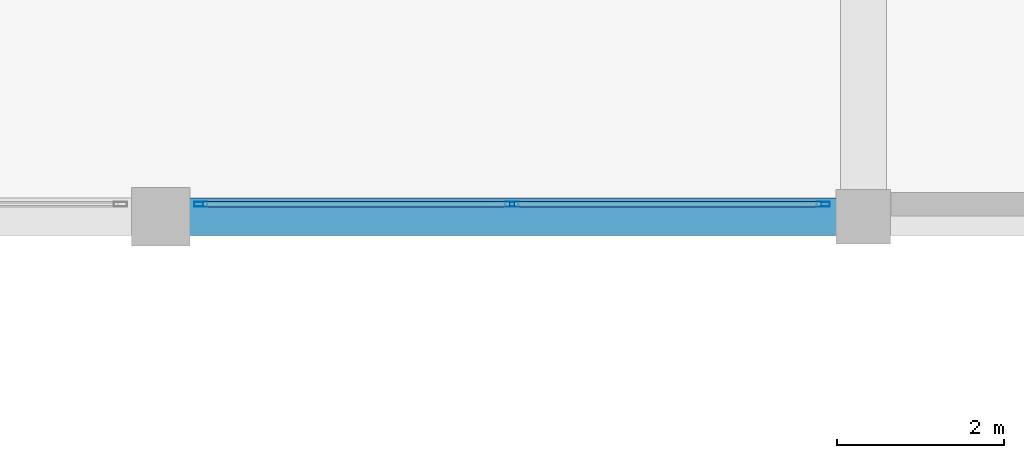
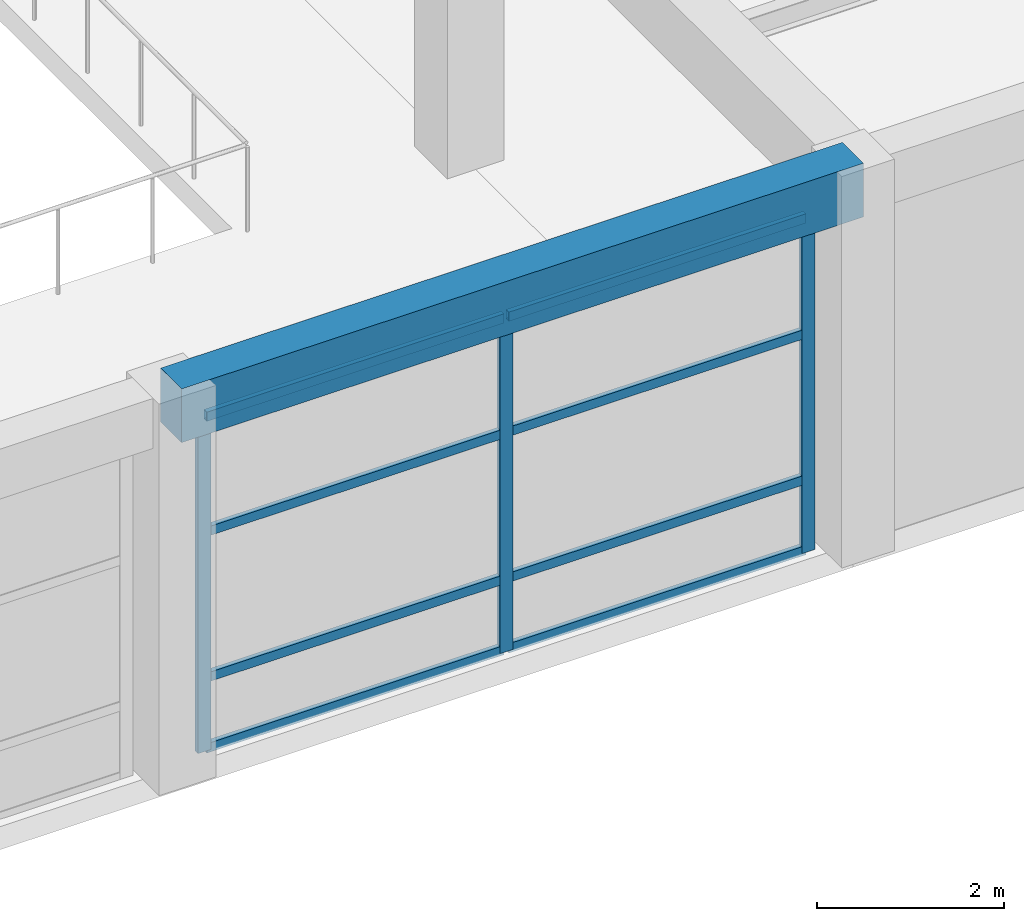
# One storey, part 26 of 96: 11 members, 1 beam, 1 element without a shape of its own.
"""IFC4 building model written with IfcOpenShell, lengths in metres."""

import ifcopenshell
import ifcopenshell.guid

model = None  # the IFC model being written
_history = None  # IfcOwnerHistory: only IFC2X3 demands one
_inside = {}  # id of a spatial element -> (the spatial element, [elements in it])
_under = {}  # id of a project, library or spatial element -> (it, [spatial elements below it])
_declared = {}  # id of a project -> (the project, [libraries it declares])
_typed = {}  # id of a type object -> (the type object, [elements of that type])
_made_of = {}  # id of a material, layer set ... -> (it, [elements and type objects made of it])


def new_model(schema):
    """Start an empty IFC model of exactly this schema.

    Asked for "IFC4X3", IfcOpenShell would pick the latest addendum, in which some entities
    have other attributes; the version numbers below select the first issue.
    IFC2X3 requires an IfcOwnerHistory on every rooted entity: one is made here for all.
    """
    global model, _history
    if schema == "IFC4X3":
        model = ifcopenshell.file(schema_version=(4, 3, 0, 0))
    else:
        model = ifcopenshell.file(schema=schema)
    _inside.clear()
    _under.clear()
    _declared.clear()
    _typed.clear()
    _made_of.clear()
    _history = None
    if model.schema == "IFC2X3":
        org = make("IfcOrganization", Name="unknown")
        user = make(
            "IfcPersonAndOrganization",
            ThePerson=make("IfcPerson", FamilyName="unknown"),
            TheOrganization=org,
        )
        app = make(
            "IfcApplication",
            ApplicationDeveloper=org,
            Version="unknown",
            ApplicationFullName="unknown",
            ApplicationIdentifier="unknown",
        )
        _history = make(
            "IfcOwnerHistory",
            OwningUser=user,
            OwningApplication=app,
            ChangeAction="ADDED",
            CreationDate=0,
        )
    return model


def make(cls, **values):
    """One entity of the class cls with the attributes given. An attribute that is None is left unset."""
    return model.create_entity(
        cls, **{name: value for name, value in values.items() if value is not None}
    )


def rooted(cls, **values):
    """An entity with a GlobalId (a new one), such as an element, a storey or a relation."""
    return make(cls, GlobalId=ifcopenshell.guid.new(), OwnerHistory=_history, **values)


def si_unit(unit_type, name, prefix=None):
    """IfcSIUnit, for example si_unit("LENGTHUNIT", "METRE", prefix="MILLI")."""
    return make("IfcSIUnit", UnitType=unit_type, Prefix=prefix, Name=name)


def assignment(units):
    """IfcUnitAssignment: the units of a project."""
    return None if units is None else make("IfcUnitAssignment", Units=units)


def point(xyz):
    """IfcCartesianPoint."""
    return None if xyz is None else make("IfcCartesianPoint", Coordinates=xyz)


def direction(xyz):
    """IfcDirection."""
    return None if xyz is None else make("IfcDirection", DirectionRatios=xyz)


def frame(location, z_axis=None, x_axis=None):
    """IfcAxis2Placement3D, a coordinate frame: its origin and axes. An axis left out is left unset."""
    return make(
        "IfcAxis2Placement3D",
        Location=point(location),
        Axis=direction(z_axis),
        RefDirection=direction(x_axis),
    )


def frame_2d(location, x_axis=None):
    """IfcAxis2Placement2D, a coordinate frame in the plane: its origin and x axis."""
    return make(
        "IfcAxis2Placement2D", Location=point(location), RefDirection=direction(x_axis)
    )


def origin():
    """The frame at (0, 0, 0) with its axes left unset."""
    return frame((0.0, 0.0, 0.0))


def origin_2d():
    """The frame at (0, 0) in the plane with its x axis left unset."""
    return frame_2d((0.0, 0.0))


def place(relative_to, where):
    """IfcLocalPlacement: puts the frame where relative to a parent placement (None: the world)."""
    return make(
        "IfcLocalPlacement", PlacementRelTo=relative_to, RelativePlacement=where
    )


def context(
    kind, dimensions, precision=None, world=None, true_north=None, identifier=None
):
    """IfcGeometricRepresentationContext, for example the 3D "Model" context."""
    return make(
        "IfcGeometricRepresentationContext",
        ContextIdentifier=identifier,
        ContextType=kind,
        CoordinateSpaceDimension=dimensions,
        Precision=precision,
        WorldCoordinateSystem=world,
        TrueNorth=true_north,
    )


def subcontext(parent, identifier, kind, view, scale=None):
    """IfcGeometricRepresentationSubContext, for example "Body" below "Model"."""
    return make(
        "IfcGeometricRepresentationSubContext",
        ContextIdentifier=identifier,
        ContextType=kind,
        ParentContext=parent,
        TargetScale=scale,
        TargetView=view,
    )


def project(units=None, contexts=None):
    """IfcProject with its units and contexts."""
    return rooted(
        "IfcProject",
        Name="project",
        RepresentationContexts=contexts,
        UnitsInContext=assignment(units),
    )


def spatial(cls, under=None, at=None, **own):
    """A site, building, storey or space (cls), placed at a placement, below another one or the project."""
    s = rooted(cls, ObjectPlacement=at, **own)
    if under is not None:
        _under.setdefault(under.id(), (under, []))[1].append(s)
    return s


def profile(cls, at=None, kind="AREA", **sizes):
    """A parametric profile (cls). Its sizes go by their IFC names, for example OverallWidth=200.0."""
    return make(cls, ProfileType=kind, Position=at, **sizes)


def rectangle(**sizes):
    """IfcRectangleProfileDef."""
    return profile("IfcRectangleProfileDef", **sizes)


def hollow_rectangle(**sizes):
    """IfcRectangleHollowProfileDef."""
    return profile("IfcRectangleHollowProfileDef", **sizes)


def extrude(swept, where, along, depth):
    """IfcExtrudedAreaSolid: the profile swept, set in the frame where, extruded along a direction by depth."""
    return make(
        "IfcExtrudedAreaSolid",
        SweptArea=swept,
        Position=where,
        ExtrudedDirection=direction(along),
        Depth=depth,
    )


def shape(context_of_items, identifier, shape_type, items):
    """IfcShapeRepresentation: the items that make up one representation, for example the "Body"."""
    return make(
        "IfcShapeRepresentation",
        ContextOfItems=context_of_items,
        RepresentationIdentifier=identifier,
        RepresentationType=shape_type,
        Items=items,
    )


def material(Name=None, Category=None):
    """IfcMaterial."""
    return make("IfcMaterial", Name=Name, Category=Category)


def material_profile(
    of_material, cross_section, Name=None, Category=None, Priority=None
):
    """IfcMaterialProfile: a cross section and its material."""
    return make(
        "IfcMaterialProfile",
        Name=Name,
        Material=of_material,
        Profile=cross_section,
        Priority=Priority,
        Category=Category,
    )


def profile_set(profiles, Name=None, composite=None):
    """IfcMaterialProfileSet."""
    return make(
        "IfcMaterialProfileSet",
        Name=Name,
        MaterialProfiles=profiles,
        CompositeProfile=composite,
    )


def made_of(thing, what):
    """Note that an element or type object is made of a material, layer set ...; save() writes the relation."""
    if what is not None:
        _made_of.setdefault(what.id(), (what, []))[1].append(thing)
    return thing


def type_object(cls, material=None, **own):
    """A type object (cls), such as IfcWallType, which elements share."""
    return made_of(rooted(cls, **own), material)


def element(
    cls,
    number,
    at=None,
    inside=None,
    cuts=None,
    type_object=None,
    material=None,
    context=None,
    identifier="Body",
    shape_type=None,
    held_by="IfcProductDefinitionShape",
    body=None,
    shapes=None,
    **own,
):
    """One element of the class cls, such as IfcWall. Its Tag is "e" and its number.

    at: its placement. inside: the storey or other place that contains it. cuts: it is an
    opening in that element (IfcRelVoidsElement). A single representation is given by context,
    identifier, shape_type and body (its items); several are given by shapes. held_by: the class
    of the entity that holds the representations. save() writes the other relations.
    """
    e = rooted(cls, Tag="e%d" % number, ObjectPlacement=at, **own)
    if body is not None:
        shapes = [shape(context, identifier, shape_type, body)]
    if shapes is not None:
        e.Representation = make(held_by, Representations=shapes)
    if inside is not None:
        _inside.setdefault(inside.id(), (inside, []))[1].append(e)
    if cuts is not None:
        rooted(
            "IfcRelVoidsElement", RelatingBuildingElement=cuts, RelatedOpeningElement=e
        )
    if type_object is not None:
        _typed.setdefault(type_object.id(), (type_object, []))[1].append(e)
    return made_of(e, material)


def aggregate(whole, parts):
    """IfcRelAggregates: a whole, such as a stair, and the parts it consists of."""
    return rooted("IfcRelAggregates", RelatingObject=whole, RelatedObjects=parts)


def save(model, path):
    """Write the relations noted so far, then the file.

    IfcRelAggregates (storeys below a building ...), IfcRelContainedInSpatialStructure (elements
    in a storey), IfcRelDefinesByType, IfcRelAssociatesMaterial and IfcRelDeclares: one each for
    every whole, place, type object, material and project.
    """
    for whole, parts in _under.values():
        aggregate(whole, parts)
    for where, things in _inside.values():
        rooted(
            "IfcRelContainedInSpatialStructure",
            RelatedElements=things,
            RelatingStructure=where,
        )
    for kind, things in _typed.values():
        rooted("IfcRelDefinesByType", RelatedObjects=things, RelatingType=kind)
    for what, things in _made_of.values():
        rooted("IfcRelAssociatesMaterial", RelatedObjects=things, RelatingMaterial=what)
    for by, libraries in _declared.values():
        rooted("IfcRelDeclares", RelatingContext=by, RelatedDefinitions=libraries)
    model.write(path)


model = new_model("IFC4")

# Units and contexts
model_context = context("Model", 3, precision=1e-05, world=origin(), true_north=direction((0.0, 1.0)))
body_context = subcontext(model_context, "Body", "Model", "MODEL_VIEW")
ifc_project = project(units=[si_unit("LENGTHUNIT", "METRE"), si_unit("AREAUNIT", "SQUARE_METRE"), si_unit("VOLUMEUNIT", "CUBIC_METRE"), si_unit("PLANEANGLEUNIT", "RADIAN"), si_unit("MASSUNIT", "GRAM", prefix="KILO")], contexts=[model_context])

# Site, building, storey
site_placement = place(None, origin())
site = spatial("IfcSite", under=ifc_project, at=site_placement, CompositionType="ELEMENT")
building_placement = place(site_placement, origin())
building = spatial("IfcBuilding", under=site, at=building_placement, Name="Almacenes y Pasaje Nevantli", CompositionType="ELEMENT")
storey_placement = place(building_placement, frame((0.0, 0.0, 6.0)))
storey = spatial("IfcBuildingStorey", under=building, at=storey_placement, Name="L02", CompositionType="ELEMENT", Elevation=6.0)

# Beam
ifc_material_1 = material(Name="Concrete C35/45", Category="concrete")
ifc_material_profile_1 = material_profile(ifc_material_1, rectangle(XDim=0.449951171875, YDim=0.699951171875, at=origin_2d()), Name="RC-BM-450x700")
ifc_profile_set_1 = profile_set([ifc_material_profile_1], Name="Concrete C35/45")
beam_type = type_object("IfcBeamType", Name="BM-RC-450x700", PredefinedType="SPANDREL", material=ifc_profile_set_1)
beam_placement = place(storey_placement, frame((84.0, 0.0, 4.75), z_axis=(1.0, 0.0, 0.0), x_axis=(0.0, 1.0, 0.0)))
element("IfcBeam", 1, at=beam_placement, inside=storey, type_object=beam_type, Name="L02 East-West Reinforced Concrete Beam #1730", PredefinedType="SPANDREL", context=body_context, shape_type="SweptSolid", body=[
    extrude(rectangle(XDim=0.449951171875, YDim=0.699951171875, at=origin_2d()), origin(), (0.0, 0.0, 1.0), 8.39990234375),
])

# Curtain wall, members
ifc_material_2 = material(Name="Thermally Broken Aluminium and Low-E Glass", Category="aluminium")
curtain_wall_type = type_object("IfcCurtainWallType", Name="CW-STF-ARCADE", PredefinedType="USERDEFINED", material=ifc_material_2)
curtain_wall_placement = place(storey_placement, origin())
curtain_wall = element("IfcCurtainWall", 2, at=curtain_wall_placement, inside=storey, type_object=curtain_wall_type, Name="L02 South Arcade Portal Curtain Wall Bay 11", ObjectType="STOREFRONT GLAZING", PredefinedType="USERDEFINED")
ifc_material_3 = material(Name="Thermally Broken Anodized Aluminium", Category="aluminium")
ifc_material_profile_2 = material_profile(ifc_material_3, hollow_rectangle(XDim=0.06005859375, YDim=0.159912109375, WallThickness=0.00390625, at=origin_2d()), Name="ALU-MUL-60x160")
ifc_profile_set_2 = profile_set([ifc_material_profile_2], Name="Thermally Broken Anodized Aluminium")
member_type_1 = type_object("IfcMemberType", Name="CW-MUL-180", PredefinedType="MULLION", material=ifc_profile_set_2)
member_1_placement = place(storey_placement, frame((84.47998046875, 0.14990234375, 0.0), z_axis=(0.0, 0.0, 1.0), x_axis=(0.0, 1.0, 0.0)))
member_1 = element("IfcMember", 3, at=member_1_placement, type_object=member_type_1, Name="CW-L02-014 mullion 1", PredefinedType="MULLION", context=body_context, shape_type="SweptSolid", body=[
    extrude(hollow_rectangle(XDim=0.06005859375, YDim=0.159912109375, WallThickness=0.00390625, at=origin_2d()), origin(), (0.0, 0.0, 1.0), 4.3798828125),
])
member_2_placement = place(storey_placement, frame((88.199951171875, 0.14990234375, 0.0), z_axis=(0.0, 0.0, 1.0), x_axis=(0.0, 1.0, 0.0)))
member_2 = element("IfcMember", 4, at=member_2_placement, type_object=member_type_1, Name="CW-L02-014 mullion 2", PredefinedType="MULLION", context=body_context, shape_type="SweptSolid", body=[
    extrude(hollow_rectangle(XDim=0.06005859375, YDim=0.159912109375, WallThickness=0.00390625, at=origin_2d()), origin(), (0.0, 0.0, 1.0), 4.3798828125),
])
member_3_placement = place(storey_placement, frame((91.919921875, 0.14990234375, 0.0), z_axis=(0.0, 0.0, 1.0), x_axis=(0.0, 1.0, 0.0)))
member_3 = element("IfcMember", 5, at=member_3_placement, type_object=member_type_1, Name="CW-L02-014 mullion 3", PredefinedType="MULLION", context=body_context, shape_type="SweptSolid", body=[
    extrude(hollow_rectangle(XDim=0.06005859375, YDim=0.159912109375, WallThickness=0.00390625, at=origin_2d()), origin(), (0.0, 0.0, 1.0), 4.3798828125),
])
ifc_material_4 = material(Name="Thermally Broken Anodized Aluminium", Category="aluminium")
ifc_material_profile_3 = material_profile(ifc_material_4, hollow_rectangle(XDim=0.06005859375, YDim=0.1201171875, WallThickness=0.00341796875, at=origin_2d()), Name="ALU-TRN-60x120")
ifc_profile_set_3 = profile_set([ifc_material_profile_3], Name="Thermally Broken Anodized Aluminium")
member_type_2 = type_object("IfcMemberType", Name="CW-TRN-130", PredefinedType="USERDEFINED", material=ifc_profile_set_3)
member_4_placement = place(storey_placement, frame((84.510009765625, 0.14990234375, 0.030029296875), z_axis=(1.0, 0.0, 0.0), x_axis=(0.0, 1.0, 0.0)))
member_4 = element("IfcMember", 6, at=member_4_placement, type_object=member_type_2, Name="CW-L02-014 transom 1.1", ObjectType="TRANSOM", PredefinedType="USERDEFINED", context=body_context, shape_type="SweptSolid", body=[
    extrude(hollow_rectangle(XDim=0.06005859375, YDim=0.1201171875, WallThickness=0.00341796875, at=origin_2d()), origin(), (0.0, 0.0, 1.0), 3.659912109375),
])
member_5_placement = place(storey_placement, frame((84.510009765625, 0.14990234375, 0.949951171875), z_axis=(1.0, 0.0, 0.0), x_axis=(0.0, 1.0, 0.0)))
member_5 = element("IfcMember", 7, at=member_5_placement, type_object=member_type_2, Name="CW-L02-014 transom 1.2", ObjectType="TRANSOM", PredefinedType="USERDEFINED", context=body_context, shape_type="SweptSolid", body=[
    extrude(hollow_rectangle(XDim=0.06005859375, YDim=0.1201171875, WallThickness=0.00341796875, at=origin_2d()), origin(), (0.0, 0.0, 1.0), 3.659912109375),
])
member_6_placement = place(storey_placement, frame((84.510009765625, 0.14990234375, 2.85009765625), z_axis=(1.0, 0.0, 0.0), x_axis=(0.0, 1.0, 0.0)))
member_6 = element("IfcMember", 8, at=member_6_placement, type_object=member_type_2, Name="CW-L02-014 transom 1.3", ObjectType="TRANSOM", PredefinedType="USERDEFINED", context=body_context, shape_type="SweptSolid", body=[
    extrude(hollow_rectangle(XDim=0.06005859375, YDim=0.1201171875, WallThickness=0.00341796875, at=origin_2d()), origin(), (0.0, 0.0, 1.0), 3.659912109375),
])
member_7_placement = place(storey_placement, frame((84.510009765625, 0.14990234375, 4.35009765625), z_axis=(1.0, 0.0, 0.0), x_axis=(0.0, 1.0, 0.0)))
member_7 = element("IfcMember", 9, at=member_7_placement, type_object=member_type_2, Name="CW-L02-014 transom 1.4", ObjectType="TRANSOM", PredefinedType="USERDEFINED", context=body_context, shape_type="SweptSolid", body=[
    extrude(hollow_rectangle(XDim=0.06005859375, YDim=0.1201171875, WallThickness=0.00341796875, at=origin_2d()), origin(), (0.0, 0.0, 1.0), 3.659912109375),
])
member_8_placement = place(storey_placement, frame((88.22998046875, 0.14990234375, 0.030029296875), z_axis=(1.0, 0.0, 0.0), x_axis=(0.0, 1.0, 0.0)))
member_8 = element("IfcMember", 10, at=member_8_placement, type_object=member_type_2, Name="CW-L02-014 transom 2.1", ObjectType="TRANSOM", PredefinedType="USERDEFINED", context=body_context, shape_type="SweptSolid", body=[
    extrude(hollow_rectangle(XDim=0.06005859375, YDim=0.1201171875, WallThickness=0.00341796875, at=origin_2d()), origin(), (0.0, 0.0, 1.0), 3.659912109375),
])
member_9_placement = place(storey_placement, frame((88.22998046875, 0.14990234375, 0.949951171875), z_axis=(1.0, 0.0, 0.0), x_axis=(0.0, 1.0, 0.0)))
member_9 = element("IfcMember", 11, at=member_9_placement, type_object=member_type_2, Name="CW-L02-014 transom 2.2", ObjectType="TRANSOM", PredefinedType="USERDEFINED", context=body_context, shape_type="SweptSolid", body=[
    extrude(hollow_rectangle(XDim=0.06005859375, YDim=0.1201171875, WallThickness=0.00341796875, at=origin_2d()), origin(), (0.0, 0.0, 1.0), 3.659912109375),
])
member_10_placement = place(storey_placement, frame((88.22998046875, 0.14990234375, 2.85009765625), z_axis=(1.0, 0.0, 0.0), x_axis=(0.0, 1.0, 0.0)))
member_10 = element("IfcMember", 12, at=member_10_placement, type_object=member_type_2, Name="CW-L02-014 transom 2.3", ObjectType="TRANSOM", PredefinedType="USERDEFINED", context=body_context, shape_type="SweptSolid", body=[
    extrude(hollow_rectangle(XDim=0.06005859375, YDim=0.1201171875, WallThickness=0.00341796875, at=origin_2d()), origin(), (0.0, 0.0, 1.0), 3.659912109375),
])
member_11_placement = place(storey_placement, frame((88.22998046875, 0.14990234375, 4.35009765625), z_axis=(1.0, 0.0, 0.0), x_axis=(0.0, 1.0, 0.0)))
member_11 = element("IfcMember", 13, at=member_11_placement, type_object=member_type_2, Name="CW-L02-014 transom 2.4", ObjectType="TRANSOM", PredefinedType="USERDEFINED", context=body_context, shape_type="SweptSolid", body=[
    extrude(hollow_rectangle(XDim=0.06005859375, YDim=0.1201171875, WallThickness=0.00341796875, at=origin_2d()), origin(), (0.0, 0.0, 1.0), 3.659912109375),
])
aggregate(curtain_wall, [member_1, member_2, member_3, member_4, member_5, member_6, member_7, member_8, member_9, member_10, member_11])

save(model, "model.ifc")
